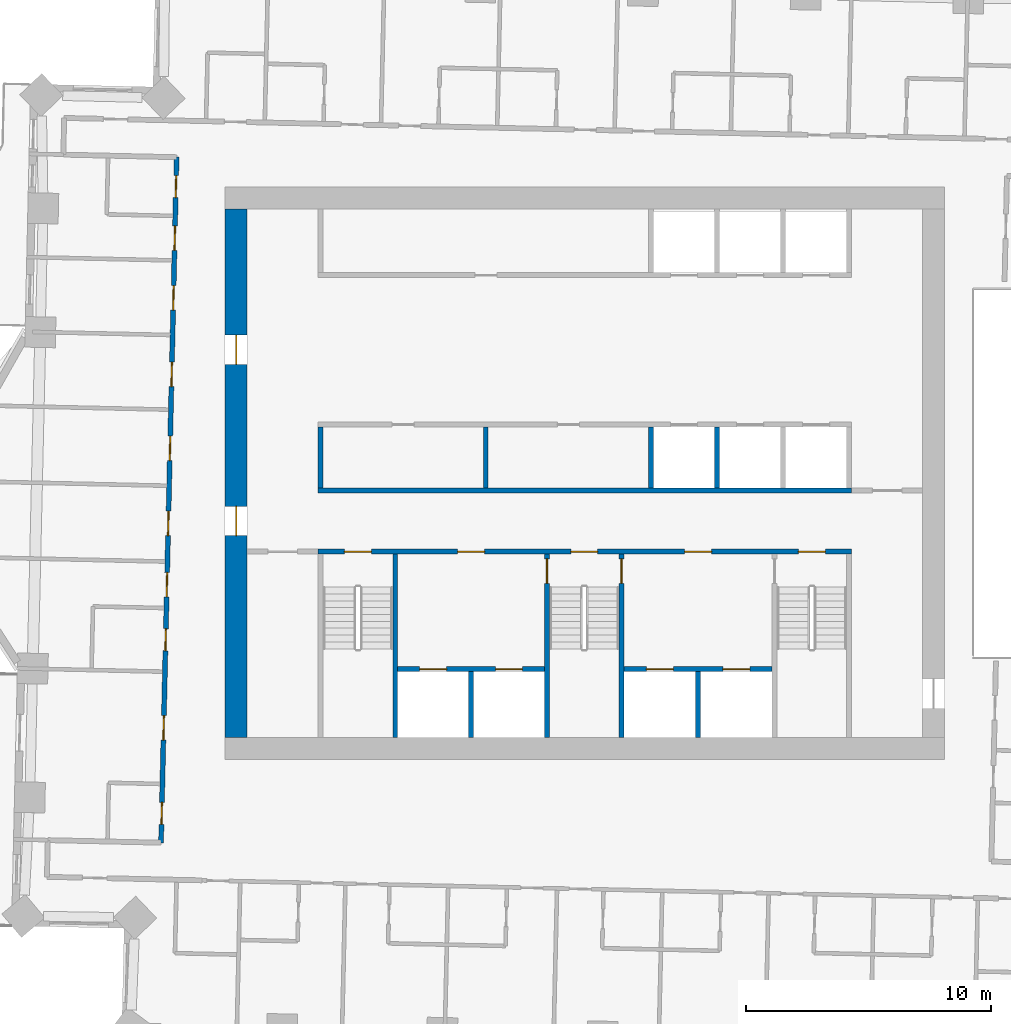
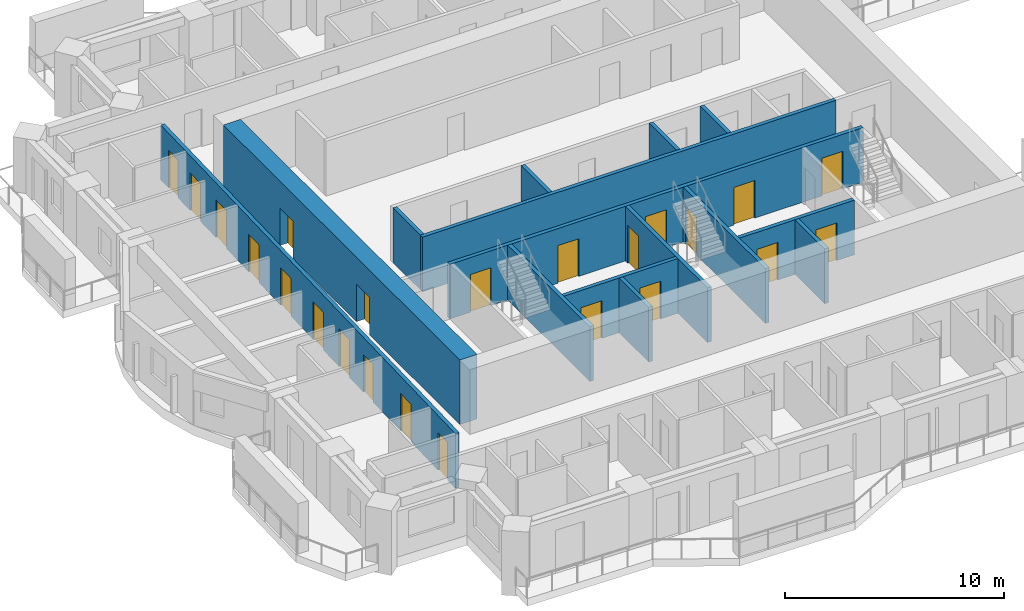
# One storey, part 6 of 14: 23 doors, 15 walls, 23 openings.
"""IFC4 building model written with IfcOpenShell, lengths in metres."""

from ifc_helpers import new_model, si_unit, direction, frame, frame_2d, origin, place, context, subcontext, project, spatial, rectangle, extrude, material, layer, layer_set, type_object, element, fill, save


model = new_model("IFC4")

# Units and contexts
model_context = context("Model", 3, precision=1e-05, world=origin(), true_north=direction((0.0, 1.0)))
body_context = subcontext(model_context, "Body", "Model", "MODEL_VIEW")
ifc_project = project(units=[si_unit("LENGTHUNIT", "METRE"), si_unit("AREAUNIT", "SQUARE_METRE"), si_unit("VOLUMEUNIT", "CUBIC_METRE"), si_unit("PLANEANGLEUNIT", "RADIAN"), si_unit("MASSUNIT", "GRAM", prefix="KILO")], contexts=[model_context])

# Site, building, storey
site_placement = place(None, origin())
site = spatial("IfcSite", under=ifc_project, at=site_placement, CompositionType="ELEMENT")
building_placement = place(site_placement, origin())
building = spatial("IfcBuilding", under=site, at=building_placement, Name="Mangrove Gate Tower", CompositionType="ELEMENT")
storey_placement = place(building_placement, frame((0.0, 0.0, 152.699951171875)))
storey = spatial("IfcBuildingStorey", under=building, at=storey_placement, Name="L38", CompositionType="ELEMENT", Elevation=152.699951171875)

# Walls
ifc_material_1 = material(Name="Concrete C32/40", Category="concrete")
ifc_layer_1 = layer(ifc_material_1, 0.199951171875)
ifc_layer_set_1 = layer_set([ifc_layer_1], Name="Core room wall 200 C32/40")
wall_type_1 = type_object("IfcWallType", Name="Core room wall 200 C32/40", PredefinedType="STANDARD", material=ifc_layer_set_1)
for number, where, z_axis, x_axis, name in (
    (1, (-10.800048828125, -0.60009765625, 0.0), (0.0, 0.0, 1.0), (0.0, 1.0, 0.0), "WALL-L38-CORE-19"),
    (2, (-4.050048828125, -0.60009765625, 0.0), (0.0, 0.0, 1.0), (0.0, 1.0, 0.0), "WALL-L38-CORE-20"),
):
    element("IfcWall", number, at=place(storey_placement, frame(where, z_axis=z_axis, x_axis=x_axis)), inside=storey, type_object=wall_type_1, Name=name, PredefinedType="STANDARD", context=body_context, shape_type="SweptSolid", body=[
        extrude(rectangle(XDim=2.5, YDim=0.199951171875, at=frame_2d((1.25, 0.0))), origin(), (0.0, 0.0, 1.0), 3.050048828125),
    ])
ifc_material_2 = material(Name="Concrete C60/75", Category="concrete")
ifc_layer_2 = layer(ifc_material_2, 0.199951171875)
ifc_layer_set_2 = layer_set([ifc_layer_2], Name="Core shaft wall 200 C60/75")
wall_type_2 = type_object("IfcWallType", Name="Core shaft wall 200 C60/75", PredefinedType="SHEAR", material=ifc_layer_set_2)
wall_1_placement = place(storey_placement, frame((-10.89990234375, -0.699951171875, 0.0), z_axis=(0.0, 0.0, 1.0), x_axis=(1.0, 0.0, 0.0)))
element("IfcWall", 3, at=wall_1_placement, inside=storey, type_object=wall_type_2, Name="WALL-L38-CORE-6", PredefinedType="SHEAR", context=body_context, shape_type="SweptSolid", body=[
    extrude(rectangle(XDim=21.7998046875, YDim=0.199951171875, at=frame_2d((10.89990234375, 0.0))), origin(), (0.0, 0.0, 1.0), 3.050048828125),
])

# Wall, openings, doors
wall_2_placement = place(storey_placement, frame((-7.64990234375, -8.0, 0.0), z_axis=(0.0, 0.0, 1.0), x_axis=(1.0, 0.0, 0.0)))
wall_2 = element("IfcWall", 4, at=wall_2_placement, inside=storey, type_object=wall_type_2, Name="WALL-L38-CORE-15", PredefinedType="SHEAR", context=body_context, shape_type="SweptSolid", body=[
    extrude(rectangle(XDim=6.0, YDim=0.199951171875, at=frame_2d((3.0, 0.0))), origin(), (0.0, 0.0, 1.0), 3.050048828125),
])
opening_1_placement = place(wall_2_placement, frame((0.89990234375, 0.0, 0.0)))
opening_1 = element("IfcOpeningElement", 5, at=opening_1_placement, cuts=wall_2, Name="Opening LD", PredefinedType="OPENING", context=body_context, shape_type="SweptSolid", body=[
    extrude(rectangle(XDim=1.10009765625, YDim=2.10009765625, at=frame_2d((0.550048828125, 1.050048828125))), frame((0.0, 0.10986328125, 0.0), z_axis=(0.0, -1.0, 0.0), x_axis=(1.0, 0.0, 0.0)), (0.0, 0.0, 1.0), 0.219970703125),
])
opening_2_placement = place(wall_2_placement, frame((4.0, 0.0, 0.0)))
opening_2 = element("IfcOpeningElement", 6, at=opening_2_placement, cuts=wall_2, Name="Opening LD", PredefinedType="OPENING", context=body_context, shape_type="SweptSolid", body=[
    extrude(rectangle(XDim=1.10009765625, YDim=2.10009765625, at=frame_2d((0.550048828125, 1.050048828125))), frame((0.0, 0.10986328125, 0.0), z_axis=(0.0, -1.0, 0.0), x_axis=(1.0, 0.0, 0.0)), (0.0, 0.0, 1.0), 0.219970703125),
])
ifc_material_3 = material(Name="Stainless steel 316", Category="steel")
door_type_1 = type_object("IfcDoorType", Name="Lift landing door 1100x2100", OperationType="SLIDING_TO_LEFT", PredefinedType="DOOR", material=ifc_material_3)
door_1_placement = place(opening_1_placement, origin())
door_1 = element("IfcDoor", 7, at=door_1_placement, inside=storey, type_object=door_type_1, Name="Landing door LD SVL1", OperationType="SLIDING_TO_LEFT", OverallHeight=2.10009765625, OverallWidth=1.10009765625, PredefinedType="DOOR", context=body_context, shape_type="SweptSolid", body=[
    extrude(rectangle(XDim=1.10009765625, YDim=2.10009765625, at=frame_2d((0.550048828125, 1.050048828125))), frame((0.0, 0.02490234375, 0.0), z_axis=(0.0, -1.0, 0.0), x_axis=(1.0, 0.0, 0.0)), (0.0, 0.0, 1.0), 0.050048828125),
])
fill(opening_1, door_1)
door_2_placement = place(opening_2_placement, origin())
door_2 = element("IfcDoor", 8, at=door_2_placement, inside=storey, type_object=door_type_1, Name="Landing door LD SVL2", OperationType="SLIDING_TO_LEFT", OverallHeight=2.10009765625, OverallWidth=1.10009765625, PredefinedType="DOOR", context=body_context, shape_type="SweptSolid", body=[
    extrude(rectangle(XDim=1.10009765625, YDim=2.10009765625, at=frame_2d((0.550048828125, 1.050048828125))), frame((0.0, 0.02490234375, 0.0), z_axis=(0.0, -1.0, 0.0), x_axis=(1.0, 0.0, 0.0)), (0.0, 0.0, 1.0), 0.050048828125),
])
fill(opening_2, door_2)

# Wall
wall_3_placement = place(storey_placement, frame((-4.64990234375, -10.800048828125, 0.0), z_axis=(0.0, 0.0, 1.0), x_axis=(0.0, 1.0, 0.0)))
element("IfcWall", 9, at=wall_3_placement, inside=storey, type_object=wall_type_2, Name="WALL-L38-CORE-16", PredefinedType="SHEAR", context=body_context, shape_type="SweptSolid", body=[
    extrude(rectangle(XDim=2.699951171875, YDim=0.199951171875, at=frame_2d((1.35009765625, 0.0))), origin(), (0.0, 0.0, 1.0), 3.050048828125),
])

# Wall, openings, doors
wall_4_placement = place(storey_placement, frame((1.60009765625, -8.0, 0.0), z_axis=(0.0, 0.0, 1.0), x_axis=(1.0, 0.0, 0.0)))
wall_4 = element("IfcWall", 10, at=wall_4_placement, inside=storey, type_object=wall_type_2, Name="WALL-L38-CORE-17", PredefinedType="SHEAR", context=body_context, shape_type="SweptSolid", body=[
    extrude(rectangle(XDim=6.0498046875, YDim=0.199951171875, at=frame_2d((3.02490234375, 0.0))), origin(), (0.0, 0.0, 1.0), 3.050048828125),
])
opening_3_placement = place(wall_4_placement, frame((0.91259765625, 0.0, 0.0)))
opening_3 = element("IfcOpeningElement", 11, at=opening_3_placement, cuts=wall_4, Name="Opening LD", PredefinedType="OPENING", context=body_context, shape_type="SweptSolid", body=[
    extrude(rectangle(XDim=1.10009765625, YDim=2.10009765625, at=frame_2d((0.550048828125, 1.050048828125))), frame((0.0, 0.10986328125, 0.0), z_axis=(0.0, -1.0, 0.0), x_axis=(1.0, 0.0, 0.0)), (0.0, 0.0, 1.0), 0.219970703125),
])
opening_4_placement = place(wall_4_placement, frame((4.03759765625, 0.0, 0.0)))
opening_4 = element("IfcOpeningElement", 12, at=opening_4_placement, cuts=wall_4, Name="Opening LD", PredefinedType="OPENING", context=body_context, shape_type="SweptSolid", body=[
    extrude(rectangle(XDim=1.10009765625, YDim=2.10009765625, at=frame_2d((0.550048828125, 1.050048828125))), frame((0.0, 0.10986328125, 0.0), z_axis=(0.0, -1.0, 0.0), x_axis=(1.0, 0.0, 0.0)), (0.0, 0.0, 1.0), 0.219970703125),
])
door_3_placement = place(opening_3_placement, origin())
door_3 = element("IfcDoor", 13, at=door_3_placement, inside=storey, type_object=door_type_1, Name="Landing door LD FFL1", OperationType="SLIDING_TO_LEFT", OverallHeight=2.10009765625, OverallWidth=1.10009765625, PredefinedType="DOOR", context=body_context, shape_type="SweptSolid", body=[
    extrude(rectangle(XDim=1.10009765625, YDim=2.10009765625, at=frame_2d((0.550048828125, 1.050048828125))), frame((0.0, 0.02490234375, 0.0), z_axis=(0.0, -1.0, 0.0), x_axis=(1.0, 0.0, 0.0)), (0.0, 0.0, 1.0), 0.050048828125),
])
fill(opening_3, door_3)
door_4_placement = place(opening_4_placement, origin())
door_4 = element("IfcDoor", 14, at=door_4_placement, inside=storey, type_object=door_type_1, Name="Landing door LD FFL2", OperationType="SLIDING_TO_LEFT", OverallHeight=2.10009765625, OverallWidth=1.10009765625, PredefinedType="DOOR", context=body_context, shape_type="SweptSolid", body=[
    extrude(rectangle(XDim=1.10009765625, YDim=2.10009765625, at=frame_2d((0.550048828125, 1.050048828125))), frame((0.0, 0.02490234375, 0.0), z_axis=(0.0, -1.0, 0.0), x_axis=(1.0, 0.0, 0.0)), (0.0, 0.0, 1.0), 0.050048828125),
])
fill(opening_4, door_4)

# Walls
wall_5_placement = place(storey_placement, frame((4.625, -10.800048828125, 0.0), z_axis=(0.0, 0.0, 1.0), x_axis=(0.0, 1.0, 0.0)))
element("IfcWall", 15, at=wall_5_placement, inside=storey, type_object=wall_type_2, Name="WALL-L38-CORE-18", PredefinedType="SHEAR", context=body_context, shape_type="SweptSolid", body=[
    extrude(rectangle(XDim=2.699951171875, YDim=0.199951171875, at=frame_2d((1.35009765625, 0.0))), origin(), (0.0, 0.0, 1.0), 3.050048828125),
])
for number, where, z_axis, x_axis, name in (
    (16, (2.699951171875, -0.60009765625, 0.0), (0.0, 0.0, 1.0), (0.0, 1.0, 0.0), "WALL-L38-CORE-21"),
    (17, (5.39990234375, -0.60009765625, 0.0), (0.0, 0.0, 1.0), (0.0, 1.0, 0.0), "WALL-L38-CORE-22"),
):
    element("IfcWall", number, at=place(storey_placement, frame(where, z_axis=z_axis, x_axis=x_axis)), inside=storey, type_object=wall_type_2, Name=name, PredefinedType="SHEAR", context=body_context, shape_type="SweptSolid", body=[
        extrude(rectangle(XDim=2.5, YDim=0.199951171875, at=frame_2d((1.25, 0.0))), origin(), (0.0, 0.0, 1.0), 3.050048828125),
    ])

# Wall, openings, doors
ifc_material_4 = material(Name="Concrete C60/75", Category="concrete")
ifc_layer_3 = layer(ifc_material_4, 0.199951171875)
ifc_layer_set_3 = layer_set([ifc_layer_3], Name="Core stair wall 200 C60/75")
wall_type_3 = type_object("IfcWallType", Name="Core stair wall 200 C60/75", PredefinedType="SHEAR", material=ifc_layer_set_3)
wall_6_placement = place(storey_placement, frame((-10.89990234375, -3.199951171875, 0.0), z_axis=(0.0, 0.0, 1.0), x_axis=(1.0, 0.0, 0.0)))
wall_6 = element("IfcWall", 18, at=wall_6_placement, inside=storey, type_object=wall_type_3, Name="WALL-L38-CORE-5", PredefinedType="SHEAR", context=body_context, shape_type="SweptSolid", body=[
    extrude(rectangle(XDim=21.7998046875, YDim=0.199951171875, at=frame_2d((10.89990234375, 0.0))), origin(), (0.0, 0.0, 1.0), 3.050048828125),
])
opening_5_placement = place(wall_6_placement, frame((1.074951171875, 0.0, 0.0)))
opening_5 = element("IfcOpeningElement", 19, at=opening_5_placement, cuts=wall_6, Name="Opening STD11", PredefinedType="OPENING", context=body_context, shape_type="SweptSolid", body=[
    extrude(rectangle(XDim=1.10009765625, YDim=2.10009765625, at=frame_2d((0.550048828125, 1.050048828125))), frame((0.0, 0.10986328125, 0.0), z_axis=(0.0, -1.0, 0.0), x_axis=(1.0, 0.0, 0.0)), (0.0, 0.0, 1.0), 0.219970703125),
])
opening_6_placement = place(wall_6_placement, frame((10.324951171875, 0.0, 0.0)))
opening_6 = element("IfcOpeningElement", 20, at=opening_6_placement, cuts=wall_6, Name="Opening STD11", PredefinedType="OPENING", context=body_context, shape_type="SweptSolid", body=[
    extrude(rectangle(XDim=1.10009765625, YDim=2.10009765625, at=frame_2d((0.550048828125, 1.050048828125))), frame((0.0, 0.10986328125, 0.0), z_axis=(0.0, -1.0, 0.0), x_axis=(1.0, 0.0, 0.0)), (0.0, 0.0, 1.0), 0.219970703125),
])
opening_7_placement = place(wall_6_placement, frame((19.625, 0.0, 0.0)))
opening_7 = element("IfcOpeningElement", 21, at=opening_7_placement, cuts=wall_6, Name="Opening STD11", PredefinedType="OPENING", context=body_context, shape_type="SweptSolid", body=[
    extrude(rectangle(XDim=1.10009765625, YDim=2.10009765625, at=frame_2d((0.550048828125, 1.050048828125))), frame((0.0, 0.10986328125, 0.0), z_axis=(0.0, -1.0, 0.0), x_axis=(1.0, 0.0, 0.0)), (0.0, 0.0, 1.0), 0.219970703125),
])
opening_8_placement = place(wall_6_placement, frame((5.699951171875, 0.0, 0.0)))
opening_8 = element("IfcOpeningElement", 22, at=opening_8_placement, cuts=wall_6, Name="Opening FL", PredefinedType="OPENING", context=body_context, shape_type="SweptSolid", body=[
    extrude(rectangle(XDim=1.10009765625, YDim=2.10009765625, at=frame_2d((0.550048828125, 1.050048828125))), frame((0.0, 0.10986328125, 0.0), z_axis=(0.0, -1.0, 0.0), x_axis=(1.0, 0.0, 0.0)), (0.0, 0.0, 1.0), 0.219970703125),
])
opening_9_placement = place(wall_6_placement, frame((14.97509765625, 0.0, 0.0)))
opening_9 = element("IfcOpeningElement", 23, at=opening_9_placement, cuts=wall_6, Name="Opening FL", PredefinedType="OPENING", context=body_context, shape_type="SweptSolid", body=[
    extrude(rectangle(XDim=1.10009765625, YDim=2.10009765625, at=frame_2d((0.550048828125, 1.050048828125))), frame((0.0, 0.10986328125, 0.0), z_axis=(0.0, -1.0, 0.0), x_axis=(1.0, 0.0, 0.0)), (0.0, 0.0, 1.0), 0.219970703125),
])
ifc_material_5 = material(Name="Fire-rated steel door set", Category="steel")
door_type_2 = type_object("IfcDoorType", Name="Lobby door FD60 1100x2100", OperationType="SINGLE_SWING_LEFT", PredefinedType="DOOR", material=ifc_material_5)
door_5_placement = place(opening_8_placement, origin())
door_5 = element("IfcDoor", 24, at=door_5_placement, inside=storey, type_object=door_type_2, Name="Lobby door service lobby", OperationType="SINGLE_SWING_LEFT", OverallHeight=2.10009765625, OverallWidth=1.10009765625, PredefinedType="DOOR", context=body_context, shape_type="SweptSolid", body=[
    extrude(rectangle(XDim=1.10009765625, YDim=2.10009765625, at=frame_2d((0.550048828125, 1.050048828125))), frame((0.0, 0.02490234375, 0.0), z_axis=(0.0, -1.0, 0.0), x_axis=(1.0, 0.0, 0.0)), (0.0, 0.0, 1.0), 0.050048828125),
])
fill(opening_8, door_5)
door_6_placement = place(opening_9_placement, origin())
door_6 = element("IfcDoor", 25, at=door_6_placement, inside=storey, type_object=door_type_2, Name="Lobby door fire-fighting lobby", OperationType="SINGLE_SWING_LEFT", OverallHeight=2.10009765625, OverallWidth=1.10009765625, PredefinedType="DOOR", context=body_context, shape_type="SweptSolid", body=[
    extrude(rectangle(XDim=1.10009765625, YDim=2.10009765625, at=frame_2d((0.550048828125, 1.050048828125))), frame((0.0, 0.02490234375, 0.0), z_axis=(0.0, -1.0, 0.0), x_axis=(1.0, 0.0, 0.0)), (0.0, 0.0, 1.0), 0.050048828125),
])
fill(opening_9, door_6)
ifc_material_6 = material(Name="Fire-rated steel door set", Category="steel")
door_type_3 = type_object("IfcDoorType", Name="Stair door FD60 1100x2100", OperationType="SINGLE_SWING_RIGHT", PredefinedType="DOOR", material=ifc_material_6)
door_7_placement = place(opening_5_placement, origin())
door_7 = element("IfcDoor", 26, at=door_7_placement, inside=storey, type_object=door_type_3, Name="Stair door Stair 1", OperationType="SINGLE_SWING_RIGHT", OverallHeight=2.10009765625, OverallWidth=1.10009765625, PredefinedType="DOOR", context=body_context, shape_type="SweptSolid", body=[
    extrude(rectangle(XDim=1.10009765625, YDim=2.10009765625, at=frame_2d((0.550048828125, 1.050048828125))), frame((0.0, 0.02490234375, 0.0), z_axis=(0.0, -1.0, 0.0), x_axis=(1.0, 0.0, 0.0)), (0.0, 0.0, 1.0), 0.050048828125),
])
fill(opening_5, door_7)
door_8_placement = place(opening_6_placement, origin())
door_8 = element("IfcDoor", 27, at=door_8_placement, inside=storey, type_object=door_type_3, Name="Stair door Stair 2", OperationType="SINGLE_SWING_RIGHT", OverallHeight=2.10009765625, OverallWidth=1.10009765625, PredefinedType="DOOR", context=body_context, shape_type="SweptSolid", body=[
    extrude(rectangle(XDim=1.10009765625, YDim=2.10009765625, at=frame_2d((0.550048828125, 1.050048828125))), frame((0.0, 0.02490234375, 0.0), z_axis=(0.0, -1.0, 0.0), x_axis=(1.0, 0.0, 0.0)), (0.0, 0.0, 1.0), 0.050048828125),
])
fill(opening_6, door_8)
door_9_placement = place(opening_7_placement, origin())
door_9 = element("IfcDoor", 28, at=door_9_placement, inside=storey, type_object=door_type_3, Name="Stair door Stair 3", OperationType="SINGLE_SWING_RIGHT", OverallHeight=2.10009765625, OverallWidth=1.10009765625, PredefinedType="DOOR", context=body_context, shape_type="SweptSolid", body=[
    extrude(rectangle(XDim=1.10009765625, YDim=2.10009765625, at=frame_2d((0.550048828125, 1.050048828125))), frame((0.0, 0.02490234375, 0.0), z_axis=(0.0, -1.0, 0.0), x_axis=(1.0, 0.0, 0.0)), (0.0, 0.0, 1.0), 0.050048828125),
])
fill(opening_7, door_9)

# Wall
wall_7_placement = place(storey_placement, frame((-7.75, -10.800048828125, 0.0), z_axis=(0.0, 0.0, 1.0), x_axis=(0.0, 1.0, 0.0)))
element("IfcWall", 29, at=wall_7_placement, inside=storey, type_object=wall_type_3, Name="WALL-L38-CORE-10", PredefinedType="SHEAR", context=body_context, shape_type="SweptSolid", body=[
    extrude(rectangle(XDim=7.5, YDim=0.199951171875, at=frame_2d((3.75, 0.0))), origin(), (0.0, 0.0, 1.0), 3.050048828125),
])

# Wall, opening, door
wall_8_placement = place(storey_placement, frame((-1.550048828125, -10.800048828125, 0.0), z_axis=(0.0, 0.0, 1.0), x_axis=(0.0, 1.0, 0.0)))
wall_8 = element("IfcWall", 30, at=wall_8_placement, inside=storey, type_object=wall_type_3, Name="WALL-L38-CORE-11", PredefinedType="SHEAR", context=body_context, shape_type="SweptSolid", body=[
    extrude(rectangle(XDim=7.5, YDim=0.199951171875, at=frame_2d((3.75, 0.0))), origin(), (0.0, 0.0, 1.0), 3.050048828125),
])
opening_10_placement = place(wall_8_placement, frame((6.300048828125, 0.0, 0.0)))
opening_10 = element("IfcOpeningElement", 31, at=opening_10_placement, cuts=wall_8, Name="Opening STD10", PredefinedType="OPENING", context=body_context, shape_type="SweptSolid", body=[
    extrude(rectangle(XDim=1.0, YDim=2.10009765625, at=frame_2d((0.5, 1.050048828125))), frame((0.0, 0.10986328125, 0.0), z_axis=(0.0, -1.0, 0.0), x_axis=(1.0, 0.0, 0.0)), (0.0, 0.0, 1.0), 0.219970703125),
])
ifc_material_7 = material(Name="Fire-rated steel door set", Category="steel")
door_type_4 = type_object("IfcDoorType", Name="Stair door FD60 1000x2100", OperationType="SINGLE_SWING_RIGHT", PredefinedType="DOOR", material=ifc_material_7)
door_10_placement = place(opening_10_placement, origin())
door_10 = element("IfcDoor", 32, at=door_10_placement, inside=storey, type_object=door_type_4, Name="Stair door Stair 2 from service lobby", OperationType="SINGLE_SWING_RIGHT", OverallHeight=2.10009765625, OverallWidth=1.0, PredefinedType="DOOR", context=body_context, shape_type="SweptSolid", body=[
    extrude(rectangle(XDim=1.0, YDim=2.10009765625, at=frame_2d((0.5, 1.050048828125))), frame((0.0, 0.02490234375, 0.0), z_axis=(0.0, -1.0, 0.0), x_axis=(1.0, 0.0, 0.0)), (0.0, 0.0, 1.0), 0.050048828125),
])
fill(opening_10, door_10)

wall_9_placement = place(storey_placement, frame((1.5, -10.800048828125, 0.0), z_axis=(0.0, 0.0, 1.0), x_axis=(0.0, 1.0, 0.0)))
wall_9 = element("IfcWall", 33, at=wall_9_placement, inside=storey, type_object=wall_type_3, Name="WALL-L38-CORE-12", PredefinedType="SHEAR", context=body_context, shape_type="SweptSolid", body=[
    extrude(rectangle(XDim=7.5, YDim=0.199951171875, at=frame_2d((3.75, 0.0))), origin(), (0.0, 0.0, 1.0), 3.050048828125),
])
opening_11_placement = place(wall_9_placement, frame((6.300048828125, 0.0, 0.0)))
opening_11 = element("IfcOpeningElement", 34, at=opening_11_placement, cuts=wall_9, Name="Opening STD10", PredefinedType="OPENING", context=body_context, shape_type="SweptSolid", body=[
    extrude(rectangle(XDim=1.0, YDim=2.10009765625, at=frame_2d((0.5, 1.050048828125))), frame((0.0, 0.10986328125, 0.0), z_axis=(0.0, -1.0, 0.0), x_axis=(1.0, 0.0, 0.0)), (0.0, 0.0, 1.0), 0.219970703125),
])
door_11_placement = place(opening_11_placement, origin())
door_11 = element("IfcDoor", 35, at=door_11_placement, inside=storey, type_object=door_type_4, Name="Stair door Stair 2 from fire-fighting lobby", OperationType="SINGLE_SWING_RIGHT", OverallHeight=2.10009765625, OverallWidth=1.0, PredefinedType="DOOR", context=body_context, shape_type="SweptSolid", body=[
    extrude(rectangle(XDim=1.0, YDim=2.10009765625, at=frame_2d((0.5, 1.050048828125))), frame((0.0, 0.02490234375, 0.0), z_axis=(0.0, -1.0, 0.0), x_axis=(1.0, 0.0, 0.0)), (0.0, 0.0, 1.0), 0.050048828125),
])
fill(opening_11, door_11)

# Wall, openings, doors
ifc_material_8 = material(Name="Concrete C60/75", Category="concrete")
ifc_layer_4 = layer(ifc_material_8, 0.89990234375)
ifc_layer_set_4 = layer_set([ifc_layer_4], Name="Core wall 900 C60/75")
wall_type_4 = type_object("IfcWallType", Name="Core wall 900 C60/75", PredefinedType="SHEAR", material=ifc_layer_set_4)
wall_10_placement = place(storey_placement, frame((-14.25, -10.800048828125, 0.0), z_axis=(0.0, 0.0, 1.0), x_axis=(0.0, 1.0, 0.0)))
wall_10 = element("IfcWall", 36, at=wall_10_placement, inside=storey, type_object=wall_type_4, Name="WALL-L38-CORE-3", PredefinedType="SHEAR", context=body_context, shape_type="SweptSolid", body=[
    extrude(rectangle(XDim=21.60009765625, YDim=0.89990234375, at=frame_2d((10.800048828125, 0.0))), origin(), (0.0, 0.0, 1.0), 3.60009765625),
])
opening_12_placement = place(wall_10_placement, frame((8.25, 0.0, 0.0)))
opening_12 = element("IfcOpeningElement", 37, at=opening_12_placement, cuts=wall_10, Name="Opening CD", PredefinedType="OPENING", context=body_context, shape_type="SweptSolid", body=[
    extrude(rectangle(XDim=1.199951171875, YDim=2.10009765625, at=frame_2d((0.60009765625, 1.050048828125))), frame((0.0, 0.4599609375, 0.0), z_axis=(0.0, -1.0, 0.0), x_axis=(1.0, 0.0, 0.0)), (0.0, 0.0, 1.0), 0.919921875),
])
opening_13_placement = place(wall_10_placement, frame((15.25, 0.0, 0.0)))
opening_13 = element("IfcOpeningElement", 38, at=opening_13_placement, cuts=wall_10, Name="Opening CD", PredefinedType="OPENING", context=body_context, shape_type="SweptSolid", body=[
    extrude(rectangle(XDim=1.199951171875, YDim=2.10009765625, at=frame_2d((0.60009765625, 1.050048828125))), frame((0.0, 0.4599609375, 0.0), z_axis=(0.0, -1.0, 0.0), x_axis=(1.0, 0.0, 0.0)), (0.0, 0.0, 1.0), 0.919921875),
])
ifc_material_9 = material(Name="Fire-rated steel door set", Category="steel")
door_type_5 = type_object("IfcDoorType", Name="Core ring door FD60 1200x2100", OperationType="DOUBLE_DOOR_SINGLE_SWING", PredefinedType="DOOR", material=ifc_material_9)
door_12_placement = place(opening_12_placement, origin())
door_12 = element("IfcDoor", 39, at=door_12_placement, inside=storey, type_object=door_type_5, Name="Core ring door W1", OperationType="DOUBLE_DOOR_SINGLE_SWING", OverallHeight=2.10009765625, OverallWidth=1.199951171875, PredefinedType="DOOR", context=body_context, shape_type="SweptSolid", body=[
    extrude(rectangle(XDim=1.199951171875, YDim=2.10009765625, at=frame_2d((0.60009765625, 1.050048828125))), frame((0.0, 0.02490234375, 0.0), z_axis=(0.0, -1.0, 0.0), x_axis=(1.0, 0.0, 0.0)), (0.0, 0.0, 1.0), 0.050048828125),
])
fill(opening_12, door_12)
door_13_placement = place(opening_13_placement, origin())
door_13 = element("IfcDoor", 40, at=door_13_placement, inside=storey, type_object=door_type_5, Name="Core ring door W2", OperationType="DOUBLE_DOOR_SINGLE_SWING", OverallHeight=2.10009765625, OverallWidth=1.199951171875, PredefinedType="DOOR", context=body_context, shape_type="SweptSolid", body=[
    extrude(rectangle(XDim=1.199951171875, YDim=2.10009765625, at=frame_2d((0.60009765625, 1.050048828125))), frame((0.0, 0.02490234375, 0.0), z_axis=(0.0, -1.0, 0.0), x_axis=(1.0, 0.0, 0.0)), (0.0, 0.0, 1.0), 0.050048828125),
])
fill(opening_13, door_13)

ifc_material_10 = material(Name="Gypsum board on steel stud, EI 60", Category="steel")
ifc_layer_5 = layer(ifc_material_10, 0.199951171875)
ifc_layer_set_5 = layer_set([ifc_layer_5], Name="Corridor wall EI 60")
wall_type_5 = type_object("IfcWallType", Name="Corridor wall EI 60", PredefinedType="PARTITIONING", material=ifc_layer_set_5)
wall_11_placement = place(storey_placement, frame((-17.320068359375, -15.097900390625, 0.0), z_axis=(0.0, 0.0, 1.0), x_axis=(0.022694293906, 0.999742451346, 0.0)))
wall_11 = element("IfcWall", 41, at=wall_11_placement, inside=storey, type_object=wall_type_5, Name="WALL-L38-030", PredefinedType="PARTITIONING", context=body_context, shape_type="SweptSolid", body=[
    extrude(rectangle(XDim=28.024169921875, YDim=0.199951171875, at=frame_2d((14.01220703125, 0.0))), origin(), (0.0, 0.0, 1.0), 3.050048828125),
])
opening_14_placement = place(wall_11_placement, frame((24.2119140625, 0.0, 0.0)))
opening_14 = element("IfcOpeningElement", 42, at=opening_14_placement, cuts=wall_11, Name="Opening AD", PredefinedType="OPENING", context=body_context, shape_type="SweptSolid", body=[
    extrude(rectangle(XDim=1.0, YDim=2.10009765625, at=frame_2d((0.5, 1.050048828125))), frame((0.0, 0.10986328125, 0.0), z_axis=(0.0, -1.0, 0.0), x_axis=(1.0, 0.0, 0.0)), (0.0, 0.0, 1.0), 0.219970703125),
])
opening_15_placement = place(wall_11_placement, frame((26.3740234375, 0.0, 0.0)))
opening_15 = element("IfcOpeningElement", 43, at=opening_15_placement, cuts=wall_11, Name="Opening SD", PredefinedType="OPENING", context=body_context, shape_type="SweptSolid", body=[
    extrude(rectangle(XDim=0.89990234375, YDim=2.10009765625, at=frame_2d((0.449951171875, 1.050048828125))), frame((0.0, 0.10986328125, 0.0), z_axis=(0.0, -1.0, 0.0), x_axis=(1.0, 0.0, 0.0)), (0.0, 0.0, 1.0), 0.219970703125),
])
opening_16_placement = place(wall_11_placement, frame((21.77392578125, 0.0, 0.0)))
opening_16 = element("IfcOpeningElement", 44, at=opening_16_placement, cuts=wall_11, Name="Opening AD", PredefinedType="OPENING", context=body_context, shape_type="SweptSolid", body=[
    extrude(rectangle(XDim=1.0, YDim=2.10009765625, at=frame_2d((0.5, 1.050048828125))), frame((0.0, 0.10986328125, 0.0), z_axis=(0.0, -1.0, 0.0), x_axis=(1.0, 0.0, 0.0)), (0.0, 0.0, 1.0), 0.219970703125),
])
opening_17_placement = place(wall_11_placement, frame((18.64990234375, 0.0, 0.0)))
opening_17 = element("IfcOpeningElement", 45, at=opening_17_placement, cuts=wall_11, Name="Opening AD", PredefinedType="OPENING", context=body_context, shape_type="SweptSolid", body=[
    extrude(rectangle(XDim=1.0, YDim=2.10009765625, at=frame_2d((0.5, 1.050048828125))), frame((0.0, 0.10986328125, 0.0), z_axis=(0.0, -1.0, 0.0), x_axis=(1.0, 0.0, 0.0)), (0.0, 0.0, 1.0), 0.219970703125),
])
opening_18_placement = place(wall_11_placement, frame((15.6259765625, 0.0, 0.0)))
opening_18 = element("IfcOpeningElement", 46, at=opening_18_placement, cuts=wall_11, Name="Opening AD", PredefinedType="OPENING", context=body_context, shape_type="SweptSolid", body=[
    extrude(rectangle(XDim=1.0, YDim=2.10009765625, at=frame_2d((0.5, 1.050048828125))), frame((0.0, 0.10986328125, 0.0), z_axis=(0.0, -1.0, 0.0), x_axis=(1.0, 0.0, 0.0)), (0.0, 0.0, 1.0), 0.219970703125),
])
opening_19_placement = place(wall_11_placement, frame((12.556884765625, 0.0, 0.0)))
opening_19 = element("IfcOpeningElement", 47, at=opening_19_placement, cuts=wall_11, Name="Opening AD", PredefinedType="OPENING", context=body_context, shape_type="SweptSolid", body=[
    extrude(rectangle(XDim=1.0, YDim=2.10009765625, at=frame_2d((0.5, 1.050048828125))), frame((0.0, 0.10986328125, 0.0), z_axis=(0.0, -1.0, 0.0), x_axis=(1.0, 0.0, 0.0)), (0.0, 0.0, 1.0), 0.219970703125),
])
opening_20_placement = place(wall_11_placement, frame((10.049072265625, 0.0, 0.0)))
opening_20 = element("IfcOpeningElement", 48, at=opening_20_placement, cuts=wall_11, Name="Opening AD", PredefinedType="OPENING", context=body_context, shape_type="SweptSolid", body=[
    extrude(rectangle(XDim=1.0, YDim=2.10009765625, at=frame_2d((0.5, 1.050048828125))), frame((0.0, 0.10986328125, 0.0), z_axis=(0.0, -1.0, 0.0), x_axis=(1.0, 0.0, 0.0)), (0.0, 0.0, 1.0), 0.219970703125),
])
opening_21_placement = place(wall_11_placement, frame((7.84912109375, 0.0, 0.0)))
opening_21 = element("IfcOpeningElement", 49, at=opening_21_placement, cuts=wall_11, Name="Opening SD", PredefinedType="OPENING", context=body_context, shape_type="SweptSolid", body=[
    extrude(rectangle(XDim=0.89990234375, YDim=2.10009765625, at=frame_2d((0.449951171875, 1.050048828125))), frame((0.0, 0.10986328125, 0.0), z_axis=(0.0, -1.0, 0.0), x_axis=(1.0, 0.0, 0.0)), (0.0, 0.0, 1.0), 0.219970703125),
])
opening_22_placement = place(wall_11_placement, frame((4.198974609375, 0.0, 0.0)))
opening_22 = element("IfcOpeningElement", 50, at=opening_22_placement, cuts=wall_11, Name="Opening AD", PredefinedType="OPENING", context=body_context, shape_type="SweptSolid", body=[
    extrude(rectangle(XDim=1.0, YDim=2.10009765625, at=frame_2d((0.5, 1.050048828125))), frame((0.0, 0.10986328125, 0.0), z_axis=(0.0, -1.0, 0.0), x_axis=(1.0, 0.0, 0.0)), (0.0, 0.0, 1.0), 0.219970703125),
])
opening_23_placement = place(wall_11_placement, frame((0.75, 0.0, 0.0)))
opening_23 = element("IfcOpeningElement", 51, at=opening_23_placement, cuts=wall_11, Name="Opening SD", PredefinedType="OPENING", context=body_context, shape_type="SweptSolid", body=[
    extrude(rectangle(XDim=0.89990234375, YDim=2.10009765625, at=frame_2d((0.449951171875, 1.050048828125))), frame((0.0, 0.10986328125, 0.0), z_axis=(0.0, -1.0, 0.0), x_axis=(1.0, 0.0, 0.0)), (0.0, 0.0, 1.0), 0.219970703125),
])
ifc_material_11 = material(Name="Timber door leaf", Category="wood")
door_type_6 = type_object("IfcDoorType", Name="Amenity door 1000", OperationType="SINGLE_SWING_LEFT", PredefinedType="DOOR", material=ifc_material_11)
door_14_placement = place(opening_14_placement, origin())
door_14 = element("IfcDoor", 52, at=door_14_placement, inside=storey, type_object=door_type_6, Name="DOOR-L38-LNG-c5a", OperationType="SINGLE_SWING_LEFT", OverallHeight=2.10009765625, OverallWidth=1.0, PredefinedType="DOOR", context=body_context, shape_type="SweptSolid", body=[
    extrude(rectangle(XDim=1.0, YDim=2.10009765625, at=frame_2d((0.5, 1.050048828125))), frame((0.0, 0.02490234375, 0.0), z_axis=(0.0, -1.0, 0.0), x_axis=(1.0, 0.0, 0.0)), (0.0, 0.0, 1.0), 0.050048828125),
])
fill(opening_14, door_14)
door_15_placement = place(opening_16_placement, origin())
door_15 = element("IfcDoor", 53, at=door_15_placement, inside=storey, type_object=door_type_6, Name="DOOR-L38-STU-c5b", OperationType="SINGLE_SWING_RIGHT", OverallHeight=2.10009765625, OverallWidth=1.0, PredefinedType="DOOR", context=body_context, shape_type="SweptSolid", body=[
    extrude(rectangle(XDim=1.0, YDim=2.10009765625, at=frame_2d((0.5, 1.050048828125))), frame((0.0, 0.02490234375, 0.0), z_axis=(0.0, -1.0, 0.0), x_axis=(1.0, 0.0, 0.0)), (0.0, 0.0, 1.0), 0.050048828125),
])
fill(opening_16, door_15)
door_16_placement = place(opening_17_placement, origin())
door_16 = element("IfcDoor", 54, at=door_16_placement, inside=storey, type_object=door_type_6, Name="DOOR-L38-STU-c5c", OperationType="SINGLE_SWING_LEFT", OverallHeight=2.10009765625, OverallWidth=1.0, PredefinedType="DOOR", context=body_context, shape_type="SweptSolid", body=[
    extrude(rectangle(XDim=1.0, YDim=2.10009765625, at=frame_2d((0.5, 1.050048828125))), frame((0.0, 0.02490234375, 0.0), z_axis=(0.0, -1.0, 0.0), x_axis=(1.0, 0.0, 0.0)), (0.0, 0.0, 1.0), 0.050048828125),
])
fill(opening_17, door_16)
door_17_placement = place(opening_18_placement, origin())
door_17 = element("IfcDoor", 55, at=door_17_placement, inside=storey, type_object=door_type_6, Name="DOOR-L38-STU-c5d", OperationType="SINGLE_SWING_RIGHT", OverallHeight=2.10009765625, OverallWidth=1.0, PredefinedType="DOOR", context=body_context, shape_type="SweptSolid", body=[
    extrude(rectangle(XDim=1.0, YDim=2.10009765625, at=frame_2d((0.5, 1.050048828125))), frame((0.0, 0.02490234375, 0.0), z_axis=(0.0, -1.0, 0.0), x_axis=(1.0, 0.0, 0.0)), (0.0, 0.0, 1.0), 0.050048828125),
])
fill(opening_18, door_17)
door_18_placement = place(opening_19_placement, origin())
door_18 = element("IfcDoor", 56, at=door_18_placement, inside=storey, type_object=door_type_6, Name="DOOR-L38-STU-c5e", OperationType="SINGLE_SWING_LEFT", OverallHeight=2.10009765625, OverallWidth=1.0, PredefinedType="DOOR", context=body_context, shape_type="SweptSolid", body=[
    extrude(rectangle(XDim=1.0, YDim=2.10009765625, at=frame_2d((0.5, 1.050048828125))), frame((0.0, 0.02490234375, 0.0), z_axis=(0.0, -1.0, 0.0), x_axis=(1.0, 0.0, 0.0)), (0.0, 0.0, 1.0), 0.050048828125),
])
fill(opening_19, door_18)
door_19_placement = place(opening_20_placement, origin())
door_19 = element("IfcDoor", 57, at=door_19_placement, inside=storey, type_object=door_type_6, Name="DOOR-L38-LNG-c5b", OperationType="SINGLE_SWING_RIGHT", OverallHeight=2.10009765625, OverallWidth=1.0, PredefinedType="DOOR", context=body_context, shape_type="SweptSolid", body=[
    extrude(rectangle(XDim=1.0, YDim=2.10009765625, at=frame_2d((0.5, 1.050048828125))), frame((0.0, 0.02490234375, 0.0), z_axis=(0.0, -1.0, 0.0), x_axis=(1.0, 0.0, 0.0)), (0.0, 0.0, 1.0), 0.050048828125),
])
fill(opening_20, door_19)
door_20_placement = place(opening_22_placement, origin())
door_20 = element("IfcDoor", 58, at=door_20_placement, inside=storey, type_object=door_type_6, Name="DOOR-L38-LNG-c5c", OperationType="SINGLE_SWING_LEFT", OverallHeight=2.10009765625, OverallWidth=1.0, PredefinedType="DOOR", context=body_context, shape_type="SweptSolid", body=[
    extrude(rectangle(XDim=1.0, YDim=2.10009765625, at=frame_2d((0.5, 1.050048828125))), frame((0.0, 0.02490234375, 0.0), z_axis=(0.0, -1.0, 0.0), x_axis=(1.0, 0.0, 0.0)), (0.0, 0.0, 1.0), 0.050048828125),
])
fill(opening_22, door_20)
ifc_material_12 = material(Name="Timber door leaf", Category="wood")
door_type_7 = type_object("IfcDoorType", Name="Service room door 900", OperationType="SINGLE_SWING_LEFT", PredefinedType="DOOR", material=ifc_material_12)
door_21_placement = place(opening_15_placement, origin())
door_21 = element("IfcDoor", 59, at=door_21_placement, inside=storey, type_object=door_type_7, Name="DOOR-L38-WC-c5b", OperationType="SINGLE_SWING_LEFT", OverallHeight=2.10009765625, OverallWidth=0.89990234375, PredefinedType="DOOR", context=body_context, shape_type="SweptSolid", body=[
    extrude(rectangle(XDim=0.89990234375, YDim=2.10009765625, at=frame_2d((0.449951171875, 1.050048828125))), frame((0.0, 0.02490234375, 0.0), z_axis=(0.0, -1.0, 0.0), x_axis=(1.0, 0.0, 0.0)), (0.0, 0.0, 1.0), 0.050048828125),
])
fill(opening_15, door_21)
door_22_placement = place(opening_21_placement, origin())
door_22 = element("IfcDoor", 60, at=door_22_placement, inside=storey, type_object=door_type_7, Name="DOOR-L38-AWC-c5a", OperationType="SINGLE_SWING_RIGHT", OverallHeight=2.10009765625, OverallWidth=0.89990234375, PredefinedType="DOOR", context=body_context, shape_type="SweptSolid", body=[
    extrude(rectangle(XDim=0.89990234375, YDim=2.10009765625, at=frame_2d((0.449951171875, 1.050048828125))), frame((0.0, 0.02490234375, 0.0), z_axis=(0.0, -1.0, 0.0), x_axis=(1.0, 0.0, 0.0)), (0.0, 0.0, 1.0), 0.050048828125),
])
fill(opening_21, door_22)
door_23_placement = place(opening_23_placement, origin())
door_23 = element("IfcDoor", 61, at=door_23_placement, inside=storey, type_object=door_type_7, Name="DOOR-L38-LIN-c5a", OperationType="SINGLE_SWING_LEFT", OverallHeight=2.10009765625, OverallWidth=0.89990234375, PredefinedType="DOOR", context=body_context, shape_type="SweptSolid", body=[
    extrude(rectangle(XDim=0.89990234375, YDim=2.10009765625, at=frame_2d((0.449951171875, 1.050048828125))), frame((0.0, 0.02490234375, 0.0), z_axis=(0.0, -1.0, 0.0), x_axis=(1.0, 0.0, 0.0)), (0.0, 0.0, 1.0), 0.050048828125),
])
fill(opening_23, door_23)

save(model, "model.ifc")
